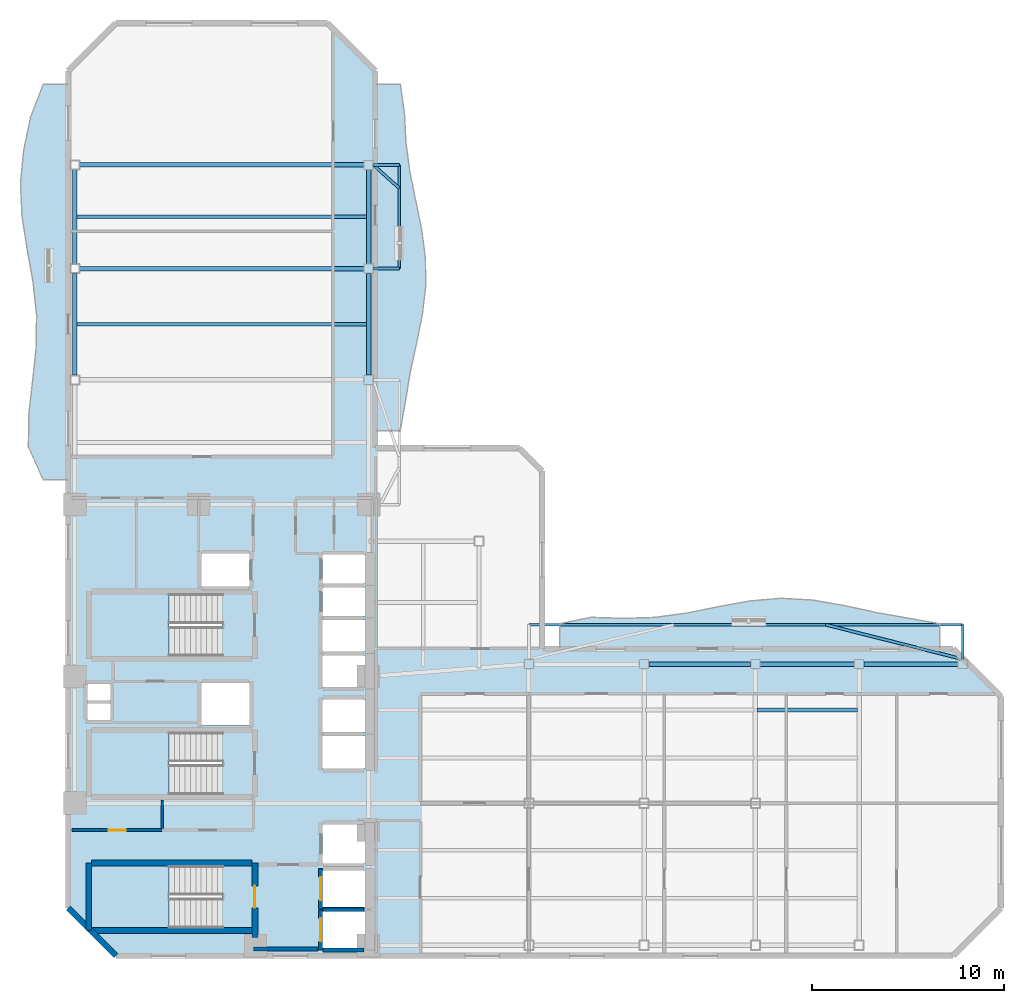
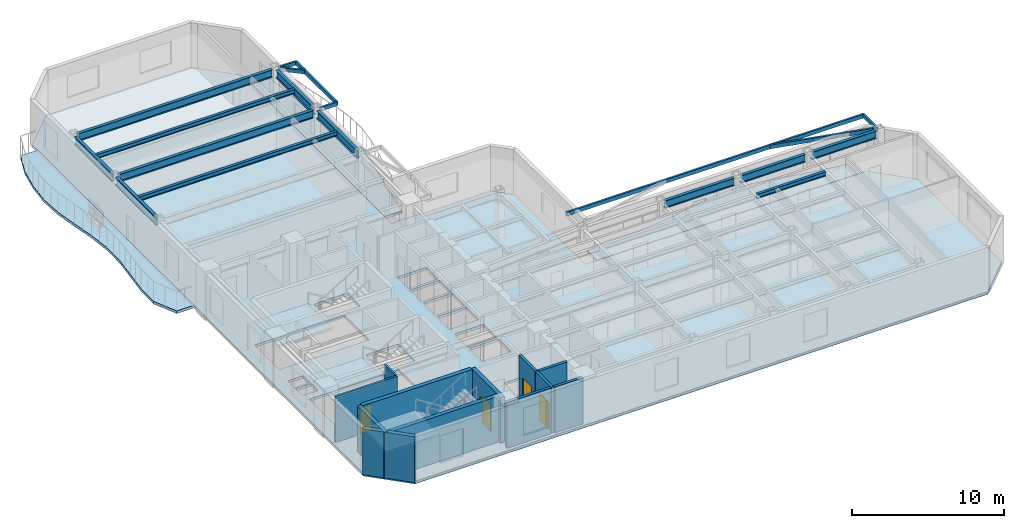
# One storey, part 2 of 9: 19 beams, 12 walls, 7 slabs, 4 doors, 4 openings, 3 elements without a shape of their own.
"""IFC4 building model written with IfcOpenShell, lengths in metres."""

from ifc_helpers import new_model, si_unit, direction, frame, frame_2d, origin, origin_2d, place, context, subcontext, project, spatial, polyline, rectangle, hollow_rectangle, i_section, outline, extrude, material, layer, layer_set, material_profile, profile_set, type_object, element, fill, aggregate, save


model = new_model("IFC4")

# Units and contexts
model_context = context("Model", 3, precision=1e-05, world=origin(), true_north=direction((0.0, 1.0)))
body_context = subcontext(model_context, "Body", "Model", "MODEL_VIEW")
ifc_project = project(units=[si_unit("LENGTHUNIT", "METRE"), si_unit("AREAUNIT", "SQUARE_METRE"), si_unit("VOLUMEUNIT", "CUBIC_METRE"), si_unit("PLANEANGLEUNIT", "RADIAN"), si_unit("MASSUNIT", "GRAM", prefix="KILO")], contexts=[model_context])

# Site, building, storey
site_placement = place(None, origin())
site = spatial("IfcSite", under=ifc_project, at=site_placement, CompositionType="ELEMENT")
building_placement = place(site_placement, origin())
building = spatial("IfcBuilding", under=site, at=building_placement, Name="Mawjaban Terraces University", CompositionType="ELEMENT")
storey_placement = place(building_placement, frame((0.0, 0.0, 138.5)))
storey = spatial("IfcBuildingStorey", under=building, at=storey_placement, Name="L33", CompositionType="ELEMENT", Elevation=138.5)

# Beams
ifc_material_1 = material(Name="Steel EN 10210-1 S355J2H", Category="steel")
ifc_material_profile_1 = material_profile(ifc_material_1, hollow_rectangle(XDim=0.14990234375, YDim=0.300048828125, WallThickness=0.012451171875, at=origin_2d()), Name="RHS300X150X12.5")
ifc_profile_set_1 = profile_set([ifc_material_profile_1], Name="Steel EN 10210-1 S355J2H")
beam_type_1 = type_object("IfcBeamType", Name="BalconyCantileverSpandrel_RHS", PredefinedType="SPANDREL", material=ifc_profile_set_1)
beam_1_placement = place(storey_placement, frame((68.60009765625, 15.449951171875, 3.5400390625), z_axis=(0.0, 1.0, 0.0), x_axis=(-1.0, 0.0, 0.0)))
element("IfcBeam", 1, at=beam_1_placement, inside=storey, type_object=beam_type_1, Name="L33 Exterior Outrigger BAL-L34-N.2", PredefinedType="SPANDREL", context=body_context, shape_type="SweptSolid", body=[
    extrude(hollow_rectangle(XDim=0.14990234375, YDim=0.300048828125, WallThickness=0.012451171875, at=origin_2d()), origin(), (0.0, 0.0, 1.0), 1.800048828125),
])
beam_2_placement = place(storey_placement, frame((46.0, 17.25, 3.5400390625), z_axis=(1.0, 0.0, 0.0), x_axis=(0.0, 1.0, 0.0)))
element("IfcBeam", 2, at=beam_2_placement, inside=storey, type_object=beam_type_1, Name="L33 Exterior Edge Spandrel BAL-L34-N", PredefinedType="SPANDREL", context=body_context, shape_type="SweptSolid", body=[
    extrude(hollow_rectangle(XDim=0.14990234375, YDim=0.300048828125, WallThickness=0.012451171875, at=origin_2d()), origin(), (0.0, 0.0, 1.0), 22.60009765625),
])
beam_3_placement = place(storey_placement, frame((68.60009765625, 15.449951171875, 3.5400390625), z_axis=(-0.96966082483, 0.244454259094, 0.0), x_axis=(-0.244454259094, -0.96966082483, 0.0)))
element("IfcBeam", 3, at=beam_3_placement, inside=storey, type_object=beam_type_1, Name="L33 Exterior Diagonal Strut BAL-L34-N.2", PredefinedType="SPANDREL", context=body_context, shape_type="SweptSolid", body=[
    extrude(hollow_rectangle(XDim=0.14990234375, YDim=0.300048828125, WallThickness=0.012451171875, at=origin_2d()), origin(), (0.0, 0.0, 1.0), 7.363525390625),
])
for number, where, z_axis, x_axis, name in (
    (4, (37.89990234375, 35.800048828125, 3.5400390625), (1.0, 0.0, 0.0), (0.0, 1.0, 0.0), "L33 Exterior Outrigger BAL-L34-E.1"),
    (5, (37.89990234375, 41.199951171875, 3.5400390625), (1.0, 0.0, 0.0), (0.0, 1.0, 0.0), "L33 Exterior Outrigger BAL-L34-E.2"),
):
    element("IfcBeam", number, at=place(storey_placement, frame(where, z_axis=z_axis, x_axis=x_axis)), inside=storey, type_object=beam_type_1, Name=name, PredefinedType="SPANDREL", context=body_context, shape_type="SweptSolid", body=[
        extrude(hollow_rectangle(XDim=0.14990234375, YDim=0.300048828125, WallThickness=0.012451171875, at=origin_2d()), origin(), (0.0, 0.0, 1.0), 1.35009765625),
    ])
beam_4_placement = place(storey_placement, frame((39.25, 35.800048828125, 3.5400390625), z_axis=(0.0, 1.0, 0.0), x_axis=(-1.0, 0.0, 0.0)))
element("IfcBeam", 6, at=beam_4_placement, inside=storey, type_object=beam_type_1, Name="L33 Exterior Edge Spandrel BAL-L34-E", PredefinedType="SPANDREL", context=body_context, shape_type="SweptSolid", body=[
    extrude(hollow_rectangle(XDim=0.14990234375, YDim=0.300048828125, WallThickness=0.012451171875, at=origin_2d()), origin(), (0.0, 0.0, 1.0), 5.39990234375),
])
beam_5_placement = place(storey_placement, frame((37.89990234375, 41.199951171875, 3.5400390625), z_axis=(0.743360982864, -0.668890461253, 0.0), x_axis=(0.668890461253, 0.743360982864, 0.0)))
element("IfcBeam", 7, at=beam_5_placement, inside=storey, type_object=beam_type_1, Name="L33 Exterior Diagonal Strut BAL-L34-E.2", PredefinedType="SPANDREL", context=body_context, shape_type="SweptSolid", body=[
    extrude(hollow_rectangle(XDim=0.14990234375, YDim=0.300048828125, WallThickness=0.012451171875, at=origin_2d()), origin(), (0.0, 0.0, 1.0), 1.816162109375),
])
ifc_material_2 = material(Name="Steel ASTM A572 Grade 50", Category="steel")
ifc_material_profile_2 = material_profile(ifc_material_2, i_section(OverallWidth=0.22998046875, OverallDepth=0.616943359375, WebThickness=0.01318359375, FlangeThickness=0.022216796875, at=origin_2d()), Name="W610X140")
ifc_profile_set_2 = profile_set([ifc_material_profile_2], Name="Steel ASTM A572 Grade 50")
beam_type_2 = type_object("IfcBeamType", Name="Beam_B_W610X140", PredefinedType="BEAM", material=ifc_profile_set_2)
beam_6_placement = place(storey_placement, frame((52.25, 15.199951171875, 3.381103515625), z_axis=(1.0, 0.0, 0.0), x_axis=(0.0, 1.0, 0.0)))
element("IfcBeam", 8, at=beam_6_placement, inside=storey, type_object=beam_type_2, Name="L33 Beam BM-L33-EW-09", PredefinedType="BEAM", context=body_context, shape_type="SweptSolid", body=[
    extrude(i_section(OverallWidth=0.22998046875, OverallDepth=0.616943359375, WebThickness=0.01318359375, FlangeThickness=0.022216796875, at=origin_2d()), origin(), (0.0, 0.0, 1.0), 5.300048828125),
])
beam_7_placement = place(storey_placement, frame((58.050048828125, 15.199951171875, 3.381103515625), z_axis=(1.0, 0.0, 0.0), x_axis=(0.0, 1.0, 0.0)))
element("IfcBeam", 9, at=beam_7_placement, inside=storey, type_object=beam_type_2, Name="L33 Beam BM-L33-EW-10", PredefinedType="BEAM", context=body_context, shape_type="SweptSolid", body=[
    extrude(i_section(OverallWidth=0.22998046875, OverallDepth=0.616943359375, WebThickness=0.01318359375, FlangeThickness=0.022216796875, at=origin_2d()), origin(), (0.0, 0.0, 1.0), 4.89990234375),
])
beam_8_placement = place(storey_placement, frame((63.449951171875, 15.199951171875, 3.381103515625), z_axis=(1.0, 0.0, 0.0), x_axis=(0.0, 1.0, 0.0)))
element("IfcBeam", 10, at=beam_8_placement, inside=storey, type_object=beam_type_2, Name="L33 Beam BM-L33-EW-11", PredefinedType="BEAM", context=body_context, shape_type="SweptSolid", body=[
    extrude(i_section(OverallWidth=0.22998046875, OverallDepth=0.616943359375, WebThickness=0.01318359375, FlangeThickness=0.022216796875, at=origin_2d()), origin(), (0.0, 0.0, 1.0), 4.900146484375),
])
for number, where, z_axis, x_axis, name in (
    (11, (22.60009765625, 35.800048828125, 3.381103515625), (1.0, 0.0, 0.0), (0.0, 1.0, 0.0), "L33 Beam BM-L33-EW-15"),
    (12, (22.60009765625, 41.199951171875, 3.381103515625), (1.0, 0.0, 0.0), (0.0, 1.0, 0.0), "L33 Beam BM-L33-EW-16"),
):
    element("IfcBeam", number, at=place(storey_placement, frame(where, z_axis=z_axis, x_axis=x_axis)), inside=storey, type_object=beam_type_2, Name=name, PredefinedType="BEAM", context=body_context, shape_type="SweptSolid", body=[
        extrude(i_section(OverallWidth=0.22998046875, OverallDepth=0.616943359375, WebThickness=0.01318359375, FlangeThickness=0.022216796875, at=origin_2d()), origin(), (0.0, 0.0, 1.0), 14.7998046875),
    ])
beam_9_placement = place(storey_placement, frame((22.35009765625, 30.25, 3.381103515625), z_axis=(0.0, 1.0, 0.0), x_axis=(-1.0, 0.0, 0.0)))
element("IfcBeam", 13, at=beam_9_placement, inside=storey, type_object=beam_type_2, Name="L33 Beam BM-L33-NS-04", PredefinedType="BEAM", context=body_context, shape_type="SweptSolid", body=[
    extrude(i_section(OverallWidth=0.22998046875, OverallDepth=0.616943359375, WebThickness=0.01318359375, FlangeThickness=0.022216796875, at=origin_2d()), origin(), (0.0, 0.0, 1.0), 5.300048828125),
])
beam_10_placement = place(storey_placement, frame((22.35009765625, 36.050048828125, 3.381103515625), z_axis=(0.0, 1.0, 0.0), x_axis=(-1.0, 0.0, 0.0)))
element("IfcBeam", 14, at=beam_10_placement, inside=storey, type_object=beam_type_2, Name="L33 Beam BM-L33-NS-05", PredefinedType="BEAM", context=body_context, shape_type="SweptSolid", body=[
    extrude(i_section(OverallWidth=0.22998046875, OverallDepth=0.616943359375, WebThickness=0.01318359375, FlangeThickness=0.022216796875, at=origin_2d()), origin(), (0.0, 0.0, 1.0), 4.89990234375),
])
beam_11_placement = place(storey_placement, frame((37.64990234375, 30.25, 3.381103515625), z_axis=(0.0, 1.0, 0.0), x_axis=(-1.0, 0.0, 0.0)))
element("IfcBeam", 15, at=beam_11_placement, inside=storey, type_object=beam_type_2, Name="L33 Beam BM-L33-NS-10", PredefinedType="BEAM", context=body_context, shape_type="SweptSolid", body=[
    extrude(i_section(OverallWidth=0.22998046875, OverallDepth=0.616943359375, WebThickness=0.01318359375, FlangeThickness=0.022216796875, at=origin_2d()), origin(), (0.0, 0.0, 1.0), 5.300048828125),
])
beam_12_placement = place(storey_placement, frame((37.64990234375, 36.050048828125, 3.381103515625), z_axis=(0.0, 1.0, 0.0), x_axis=(-1.0, 0.0, 0.0)))
element("IfcBeam", 16, at=beam_12_placement, inside=storey, type_object=beam_type_2, Name="L33 Beam BM-L33-NS-11", PredefinedType="BEAM", context=body_context, shape_type="SweptSolid", body=[
    extrude(i_section(OverallWidth=0.22998046875, OverallDepth=0.616943359375, WebThickness=0.01318359375, FlangeThickness=0.022216796875, at=origin_2d()), origin(), (0.0, 0.0, 1.0), 4.89990234375),
])
ifc_material_profile_3 = material_profile(ifc_material_2, i_section(OverallWidth=0.202880859375, OverallDepth=0.346923828125, WebThickness=0.0078125, FlangeThickness=0.013427734375, at=origin_2d()), Name="W360X64")
ifc_profile_set_3 = profile_set([ifc_material_profile_3], Name="Steel ASTM A572 Grade 50")
beam_type_3 = type_object("IfcBeamType", Name="Beam_J_W360X64", PredefinedType="JOIST", material=ifc_profile_set_3)
beam_13_placement = place(storey_placement, frame((57.8798828125, 12.800048828125, 3.51708984375), z_axis=(1.0, 0.0, 0.0), x_axis=(0.0, 1.0, 0.0)))
element("IfcBeam", 17, at=beam_13_placement, inside=storey, type_object=beam_type_3, Name="L33 Composite Joist JST-L33-16", PredefinedType="JOIST", context=body_context, shape_type="SweptSolid", body=[
    extrude(i_section(OverallWidth=0.202880859375, OverallDepth=0.346923828125, WebThickness=0.0078125, FlangeThickness=0.013427734375, at=origin_2d()), origin(), (0.0, 0.0, 1.0), 5.240234375),
])
for number, where, z_axis, x_axis, name in (
    (18, (22.429931640625, 32.89990234375, 3.51708984375), (1.0, 0.0, 0.0), (0.0, 1.0, 0.0), "L33 Composite Joist JST-L33-19"),
    (19, (22.429931640625, 38.5, 3.51708984375), (1.0, 0.0, 0.0), (0.0, 1.0, 0.0), "L33 Composite Joist JST-L33-20"),
):
    element("IfcBeam", number, at=place(storey_placement, frame(where, z_axis=z_axis, x_axis=x_axis)), inside=storey, type_object=beam_type_3, Name=name, PredefinedType="JOIST", context=body_context, shape_type="SweptSolid", body=[
        extrude(i_section(OverallWidth=0.202880859375, OverallDepth=0.346923828125, WebThickness=0.0078125, FlangeThickness=0.013427734375, at=origin_2d()), origin(), (0.0, 0.0, 1.0), 15.14013671875),
    ])

# Slabs
ifc_material_3 = material(Name="Concrete C40/50", Category="concrete")
ifc_layer_1 = layer(ifc_material_3, 0.2099609375)
ifc_layer_set_1 = layer_set([ifc_layer_1], Name="Concrete C40/50")
slab_type_1 = type_object("IfcSlabType", Name="BalconySlab_210_Ext", PredefinedType="FLOOR", material=ifc_layer_set_1)
slab_1_placement = place(storey_placement, frame((0.0, 0.0, -0.2099609375)))
element("IfcSlab", 20, at=slab_1_placement, inside=storey, type_object=slab_type_1, Name="L33 Planted Balcony Slab west", PredefinedType="FLOOR", context=body_context, shape_type="SweptSolid", body=[
    extrude(outline(polyline([(22.010009765625, 24.800048828125), (22.010009765625, 45.39990234375), (20.699951171875, 45.39990234375), (20.0400390625, 43.68310546875), (19.681884765625, 41.967041015625), (19.514892578125, 40.25), (19.594970703125, 38.532958984375), (19.863037109375, 36.81689453125), (20.169921875, 35.10009765625), (20.35400390625, 33.383056640625), (20.33203125, 31.6669921875), (20.14794921875, 29.949951171875), (19.949951171875, 28.23291015625), (19.927978515625, 26.51708984375), (20.699951171875, 24.800048828125), (22.010009765625, 24.800048828125)])), origin(), (0.0, 0.0, 1.0), 0.2099609375),
])
slab_2_placement = place(storey_placement, frame((0.0, 0.0, -0.2099609375)))
element("IfcSlab", 21, at=slab_2_placement, inside=storey, type_object=slab_type_1, Name="L33 Planted Balcony Slab inner_north", PredefinedType="FLOOR", context=body_context, shape_type="SweptSolid", body=[
    extrude(outline(polyline([(47.59912109375, 15.989990234375), (67.39990234375, 15.989990234375), (67.39990234375, 17.300048828125), (65.75, 17.590087890625), (64.10009765625, 17.884033203125), (62.449951171875, 18.242919921875), (60.800048828125, 18.531005859375), (59.14990234375, 18.6259765625), (57.4990234375, 18.487060546875), (55.84912109375, 18.18310546875), (54.198974609375, 17.85107421875), (52.549072265625, 17.6298828125), (50.89892578125, 17.580078125), (49.2490234375, 17.635009765625), (47.59912109375, 17.300048828125), (47.59912109375, 15.989990234375)])), origin(), (0.0, 0.0, 1.0), 0.2099609375),
])
slab_3_placement = place(storey_placement, frame((0.0, 0.0, -0.2099609375)))
element("IfcSlab", 22, at=slab_3_placement, inside=storey, type_object=slab_type_1, Name="L33 Planted Balcony Slab inner_east", PredefinedType="FLOOR", context=body_context, shape_type="SweptSolid", body=[
    extrude(outline(polyline([(39.300048828125, 27.35009765625), (39.56396484375, 28.85400390625), (39.81103515625, 30.35791015625), (40.136962890625, 31.863037109375), (40.445068359375, 33.366943359375), (40.625, 34.87109375), (40.610107421875, 36.375), (40.406982421875, 37.87890625), (40.095947265625, 39.383056640625), (39.79296875, 40.887939453125), (39.593017578125, 42.39208984375), (39.51806640625, 43.89599609375), (39.300048828125, 45.39990234375), (37.989990234375, 45.39990234375), (37.989990234375, 27.35009765625), (39.300048828125, 27.35009765625)])), origin(), (0.0, 0.0, 1.0), 0.2099609375),
])
ifc_layer_2 = layer(ifc_material_3, 0.2099609375)
ifc_layer_set_2 = layer_set([ifc_layer_2], Name="Concrete C40/50")
slab_type_2 = type_object("IfcSlabType", Name="CompositeSlab_210", PredefinedType="FLOOR", material=ifc_layer_set_2)
slab_4_placement = place(storey_placement, frame((0.0, 0.0, -0.2099609375)))
element("IfcSlab", 23, at=slab_4_placement, inside=storey, type_object=slab_type_2, Name="L33 Primary Structural Slab", PredefinedType="FLOOR", context=body_context, shape_type="SweptSolid", body=[
    extrude(outline(polyline([(24.5, 0.0), (68.10009765625, 0.0), (70.60009765625, 2.5), (70.60009765625, 13.5), (68.10009765625, 16.0), (46.698974609375, 16.0), (46.698974609375, 25.25), (45.4990234375, 26.449951171875), (38.0, 26.449951171875), (38.0, 46.10009765625), (35.5, 48.60009765625), (24.5, 48.60009765625), (22.0, 46.10009765625), (22.0, 2.5), (24.5, 0.0)]), holes=[polyline([(30.014892578125, 4.699951171875), (23.199951171875, 4.699951171875), (23.199951171875, 1.449951171875), (30.014892578125, 1.449951171875), (30.014892578125, 4.699951171875)]), polyline([(30.014892578125, 18.85009765625), (23.199951171875, 18.85009765625), (23.199951171875, 15.60009765625), (30.014892578125, 15.60009765625), (30.014892578125, 18.85009765625)]), polyline([(30.014892578125, 11.64990234375), (23.199951171875, 11.64990234375), (23.199951171875, 8.39990234375), (30.014892578125, 8.39990234375), (30.014892578125, 11.64990234375)]), polyline([(35.25, 0.39990234375), (37.449951171875, 0.39990234375), (37.449951171875, 2.300048828125), (35.25, 2.300048828125), (35.25, 0.39990234375)]), polyline([(35.25, 2.550048828125), (37.449951171875, 2.550048828125), (37.449951171875, 4.449951171875), (35.25, 4.449951171875), (35.25, 2.550048828125)]), polyline([(35.25, 4.800048828125), (37.449951171875, 4.800048828125), (37.449951171875, 6.85009765625), (35.25, 6.85009765625), (35.25, 4.800048828125)]), polyline([(35.25, 9.75), (37.449951171875, 9.75), (37.449951171875, 11.449951171875), (35.25, 11.449951171875), (35.25, 9.75)]), polyline([(35.25, 11.64990234375), (37.449951171875, 11.64990234375), (37.449951171875, 13.35009765625), (35.25, 13.35009765625), (35.25, 11.64990234375)]), polyline([(28.949951171875, 12.0), (31.449951171875, 12.0), (31.449951171875, 14.199951171875), (28.949951171875, 14.199951171875), (28.949951171875, 12.0)]), polyline([(35.25, 14.0), (37.449951171875, 14.0), (37.449951171875, 15.64990234375), (35.25, 15.64990234375), (35.25, 14.0)]), polyline([(35.25, 15.85009765625), (37.449951171875, 15.85009765625), (37.449951171875, 17.5), (35.25, 17.5), (35.25, 15.85009765625)]), polyline([(35.25, 17.699951171875), (37.449951171875, 17.699951171875), (37.449951171875, 19.199951171875), (35.25, 19.199951171875), (35.25, 17.699951171875)]), polyline([(35.25, 19.39990234375), (37.449951171875, 19.39990234375), (37.449951171875, 20.89990234375), (35.25, 20.89990234375), (35.25, 19.39990234375)]), polyline([(28.949951171875, 19.25), (31.449951171875, 19.25), (31.449951171875, 20.949951171875), (28.949951171875, 20.949951171875), (28.949951171875, 19.25)]), polyline([(23.0, 12.25), (24.199951171875, 12.25), (24.199951171875, 13.14990234375), (23.0, 13.14990234375), (23.0, 12.25)]), polyline([(23.0, 13.300048828125), (24.199951171875, 13.300048828125), (24.199951171875, 14.179931640625), (23.0, 14.179931640625), (23.0, 13.300048828125)])]), origin(), (0.0, 0.0, 1.0), 0.2099609375),
])

# Stair, slab
stair_type = type_object("IfcStairType", Name="Stair_Core1550_H39", PredefinedType="HALF_TURN_STAIR", material=ifc_material_3)
stair_1_placement = place(storey_placement, origin())
stair_1 = element("IfcStair", 24, at=stair_1_placement, inside=storey, type_object=stair_type, Name="L33 Core Exit Stair 1", PredefinedType="HALF_TURN_STAIR")
ifc_layer_3 = layer(ifc_material_3, 0.199951171875)
ifc_layer_set_3 = layer_set([ifc_layer_3], Name="Concrete C40/50")
slab_type_3 = type_object("IfcSlabType", Name="StairLandingSlab_200", PredefinedType="LANDING", material=ifc_layer_set_3)
slab_5_placement = place(storey_placement, frame((0.0, 0.0, 1.75)))
slab_5 = element("IfcSlab", 25, at=slab_5_placement, type_object=slab_type_3, Name="ST-1 landing 1", PredefinedType="LANDING", context=body_context, shape_type="SweptSolid", body=[
    extrude(outline(polyline([(27.25, 4.699951171875), (23.199951171875, 4.699951171875), (23.199951171875, 1.449951171875), (27.25, 1.449951171875), (27.25, 4.699951171875)])), origin(), (0.0, 0.0, 1.0), 0.199951171875),
])
aggregate(stair_1, [slab_5])

stair_2_placement = place(storey_placement, origin())
stair_2 = element("IfcStair", 26, at=stair_2_placement, inside=storey, type_object=stair_type, Name="L33 Core Exit Stair 2", PredefinedType="HALF_TURN_STAIR")
slab_6_placement = place(storey_placement, frame((0.0, 0.0, 1.75)))
slab_6 = element("IfcSlab", 27, at=slab_6_placement, type_object=slab_type_3, Name="ST-2 landing 1", PredefinedType="LANDING", context=body_context, shape_type="SweptSolid", body=[
    extrude(outline(polyline([(27.25, 18.85009765625), (23.199951171875, 18.85009765625), (23.199951171875, 15.60009765625), (27.25, 15.60009765625), (27.25, 18.85009765625)])), origin(), (0.0, 0.0, 1.0), 0.199951171875),
])
aggregate(stair_2, [slab_6])

stair_3_placement = place(storey_placement, origin())
stair_3 = element("IfcStair", 28, at=stair_3_placement, inside=storey, type_object=stair_type, Name="L33 Core Exit Stair 3", PredefinedType="HALF_TURN_STAIR")
slab_7_placement = place(storey_placement, frame((0.0, 0.0, 1.75)))
slab_7 = element("IfcSlab", 29, at=slab_7_placement, type_object=slab_type_3, Name="ST-3 landing 1", PredefinedType="LANDING", context=body_context, shape_type="SweptSolid", body=[
    extrude(outline(polyline([(27.25, 11.64990234375), (23.199951171875, 11.64990234375), (23.199951171875, 8.39990234375), (27.25, 8.39990234375), (27.25, 11.64990234375)])), origin(), (0.0, 0.0, 1.0), 0.199951171875),
])
aggregate(stair_3, [slab_7])

# Wall, opening, door
ifc_material_4 = material(Name="Fire-rated gypsum board on steel stud", Category="steel")
ifc_layer_4 = layer(ifc_material_4, 0.159912109375)
ifc_layer_set_4 = layer_set([ifc_layer_4], Name="Fire-rated gypsum board on steel stud")
wall_type_1 = type_object("IfcWallType", Name="CorridorPartition_160", PredefinedType="PARTITIONING", material=ifc_layer_set_4)
wall_1_placement = place(storey_placement, frame((26.89990234375, 6.550048828125, 0.0), z_axis=(0.0, 0.0, 1.0), x_axis=(-1.0, 0.0, 0.0)))
wall_1 = element("IfcWall", 30, at=wall_1_placement, inside=storey, type_object=wall_type_1, Name="L33 Core Washroom Lobby Partition 4", PredefinedType="PARTITIONING", context=body_context, shape_type="SweptSolid", body=[
    extrude(rectangle(XDim=4.699951171875, YDim=0.159912109375, at=frame_2d((2.35009765625, 0.0))), origin(), (0.0, 0.0, 1.0), 3.68994140625),
])
opening_1_placement = place(wall_1_placement, frame((1.909912109375, 0.0, 0.0)))
opening_1 = element("IfcOpeningElement", 31, at=opening_1_placement, cuts=wall_1, Name="Opening ID-088", PredefinedType="OPENING", context=body_context, shape_type="SweptSolid", body=[
    extrude(rectangle(XDim=0.8798828125, YDim=2.10009765625, at=frame_2d((0.43994140625, 1.050048828125))), frame((0.0, 0.08984375, 0.0), z_axis=(0.0, -1.0, 0.0), x_axis=(1.0, 0.0, 0.0)), (0.0, 0.0, 1.0), 0.179931640625),
])
ifc_material_5 = material(Name="Powder-coated steel frame and solid acoustic timber leaf", Category="steel")
door_type_1 = type_object("IfcDoorType", Name="ToiletDoor_880x2100", OperationType="NOTDEFINED", PredefinedType="DOOR", material=ifc_material_5)
door_1_placement = place(opening_1_placement, origin())
door_1 = element("IfcDoor", 32, at=door_1_placement, inside=storey, type_object=door_type_1, Name="L33 Male Toilet Door", OperationType="SINGLE_SWING_RIGHT", OverallHeight=2.10009765625, OverallWidth=0.8798828125, PredefinedType="DOOR", context=body_context, shape_type="SweptSolid", body=[
    extrude(rectangle(XDim=0.8798828125, YDim=2.10009765625, at=frame_2d((0.43994140625, 1.050048828125))), frame((0.0, 0.02490234375, 0.0), z_axis=(0.0, -1.0, 0.0), x_axis=(1.0, 0.0, 0.0)), (0.0, 0.0, 1.0), 0.050048828125),
])
fill(opening_1, door_1)

# Wall
ifc_material_6 = material(Name="Insulated terracotta rainscreen on concrete backup C40/50", Category="masonry")
ifc_layer_5 = layer(ifc_material_6, 0.300048828125)
ifc_layer_set_5 = layer_set([ifc_layer_5], Name="Insulated terracotta rainscreen on concrete backup C40/50")
wall_type_2 = type_object("IfcWallType", Name="ExtTerracottaWall_300", PredefinedType="SOLIDWALL", material=ifc_layer_set_5)
wall_2_placement = place(storey_placement, frame((22.0, 2.5, 0.0), z_axis=(0.0, 0.0, 1.0), x_axis=(0.707106781187, -0.707106781187, 0.0)))
element("IfcWall", 33, at=wall_2_placement, inside=storey, type_object=wall_type_2, Name="L33 Exterior Terracotta Wall 14", PredefinedType="SOLIDWALL", context=body_context, shape_type="SweptSolid", body=[
    extrude(rectangle(XDim=3.53564453125, YDim=0.300048828125, at=frame_2d((1.767822265625, 0.0))), origin(), (0.0, 0.0, 1.0), 3.68994140625),
])

# Wall, opening, door
ifc_layer_6 = layer(ifc_material_3, 0.199951171875)
ifc_layer_set_6 = layer_set([ifc_layer_6], Name="Concrete C40/50")
wall_type_3 = type_object("IfcWallType", Name="FireLobbyWall_200", PredefinedType="SOLIDWALL", material=ifc_layer_set_6)
wall_3_placement = place(storey_placement, frame((35.14990234375, 2.39990234375, 0.0), z_axis=(0.0, 0.0, 1.0), x_axis=(0.0, -1.0, 0.0)))
wall_3 = element("IfcWall", 34, at=wall_3_placement, inside=storey, type_object=wall_type_3, Name="L33 Lift FL-1 Hoistway Wall West", PredefinedType="SOLIDWALL", context=body_context, shape_type="SweptSolid", body=[
    extrude(rectangle(XDim=2.099853515625, YDim=0.199951171875, at=frame_2d((1.0498046875, 0.0))), origin(), (0.0, 0.0, 1.0), 3.68994140625),
])
opening_2_placement = place(wall_3_placement, frame((0.449951171875, 0.0, 0.0)))
opening_2 = element("IfcOpeningElement", 35, at=opening_2_placement, cuts=wall_3, Name="Opening LD-FL-1", PredefinedType="OPENING", context=body_context, shape_type="SweptSolid", body=[
    extrude(rectangle(XDim=1.199951171875, YDim=2.14990234375, at=frame_2d((0.60009765625, 1.074951171875))), frame((0.0, 0.10986328125, 0.0), z_axis=(0.0, -1.0, 0.0), x_axis=(1.0, 0.0, 0.0)), (0.0, 0.0, 1.0), 0.219970703125),
])
ifc_material_7 = material(Name="Powder-coated steel frame and fire-rated steel-faced leaf", Category="steel")
door_type_2 = type_object("IfcDoorType", Name="LiftLandingFSAE_1200x2150", OperationType="NOTDEFINED", PredefinedType="DOOR", material=ifc_material_7)
door_2_placement = place(opening_2_placement, origin())
door_2 = element("IfcDoor", 36, at=door_2_placement, inside=storey, type_object=door_type_2, Name="L33 Lift FL-1 Sliding Landing Door", OperationType="DOUBLE_DOOR_SLIDING", OverallHeight=2.14990234375, OverallWidth=1.199951171875, PredefinedType="DOOR", context=body_context, shape_type="SweptSolid", body=[
    extrude(rectangle(XDim=1.199951171875, YDim=2.14990234375, at=frame_2d((0.60009765625, 1.074951171875))), frame((0.0, 0.02490234375, 0.0), z_axis=(0.0, -1.0, 0.0), x_axis=(1.0, 0.0, 0.0)), (0.0, 0.0, 1.0), 0.050048828125),
])
fill(opening_2, door_2)

# Walls
for number, where, z_axis, x_axis, name in (
    (37, (35.280029296875, 0.300048828125, 0.0), (0.0, 0.0, 1.0), (1.0, 0.0, 0.0), "L33 Lift FL-1 Hoistway Wall South"),
    (38, (37.419921875, 2.39990234375, 0.0), (0.0, 0.0, 1.0), (-1.0, 0.0, 0.0), "L33 Lift FL-1 Hoistway Wall North"),
):
    element("IfcWall", number, at=place(storey_placement, frame(where, z_axis=z_axis, x_axis=x_axis)), inside=storey, type_object=wall_type_3, Name=name, PredefinedType="SOLIDWALL", context=body_context, shape_type="SweptSolid", body=[
        extrude(rectangle(XDim=2.139892578125, YDim=0.199951171875, at=frame_2d((1.06982421875, 0.0))), origin(), (0.0, 0.0, 1.0), 3.68994140625),
    ])

# Wall, opening, door
wall_4_placement = place(storey_placement, frame((35.14990234375, 4.550048828125, 0.0), z_axis=(0.0, 0.0, 1.0), x_axis=(0.0, -1.0, 0.0)))
wall_4 = element("IfcWall", 39, at=wall_4_placement, inside=storey, type_object=wall_type_3, Name="L33 Lift FL-2 Hoistway Wall West", PredefinedType="SOLIDWALL", context=body_context, shape_type="SweptSolid", body=[
    extrude(rectangle(XDim=2.10009765625, YDim=0.199951171875, at=frame_2d((1.050048828125, 0.0))), origin(), (0.0, 0.0, 1.0), 3.68994140625),
])
opening_3_placement = place(wall_4_placement, frame((0.449951171875, 0.0, 0.0)))
opening_3 = element("IfcOpeningElement", 40, at=opening_3_placement, cuts=wall_4, Name="Opening LD-FL-2", PredefinedType="OPENING", context=body_context, shape_type="SweptSolid", body=[
    extrude(rectangle(XDim=1.199951171875, YDim=2.14990234375, at=frame_2d((0.60009765625, 1.074951171875))), frame((0.0, 0.10986328125, 0.0), z_axis=(0.0, -1.0, 0.0), x_axis=(1.0, 0.0, 0.0)), (0.0, 0.0, 1.0), 0.219970703125),
])
door_3_placement = place(opening_3_placement, origin())
door_3 = element("IfcDoor", 41, at=door_3_placement, inside=storey, type_object=door_type_2, Name="L33 Lift FL-2 Sliding Landing Door", OperationType="DOUBLE_DOOR_SLIDING", OverallHeight=2.14990234375, OverallWidth=1.199951171875, PredefinedType="DOOR", context=body_context, shape_type="SweptSolid", body=[
    extrude(rectangle(XDim=1.199951171875, YDim=2.14990234375, at=frame_2d((0.60009765625, 1.074951171875))), frame((0.0, 0.02490234375, 0.0), z_axis=(0.0, -1.0, 0.0), x_axis=(1.0, 0.0, 0.0)), (0.0, 0.0, 1.0), 0.050048828125),
])
fill(opening_3, door_3)

# Walls
wall_5_placement = place(storey_placement, frame((31.64990234375, 0.35009765625, 0.0), z_axis=(0.0, 0.0, 1.0), x_axis=(1.0, 0.0, 0.0)))
element("IfcWall", 42, at=wall_5_placement, inside=storey, type_object=wall_type_3, Name="L33 Firefighting Lift Lobby Partition 6", PredefinedType="SOLIDWALL", context=body_context, shape_type="SweptSolid", body=[
    extrude(rectangle(XDim=3.3701171875, YDim=0.199951171875, at=frame_2d((1.68505859375, 0.0))), origin(), (0.0, 0.0, 1.0), 3.68994140625),
])
ifc_material_8 = material(Name="Concrete C60/75", Category="concrete")
ifc_layer_7 = layer(ifc_material_8, 0.300048828125)
ifc_layer_set_7 = layer_set([ifc_layer_7], Name="Concrete C60/75")
wall_type_4 = type_object("IfcWallType", Name="StairShaftWall_300", PredefinedType="SHEAR", material=ifc_layer_set_7)
wall_6_placement = place(storey_placement, frame((31.580078125, 4.830078125, 0.0), z_axis=(0.0, 0.0, 1.0), x_axis=(-1.0, 0.0, 0.0)))
element("IfcWall", 43, at=wall_6_placement, inside=storey, type_object=wall_type_4, Name="L33 ST-1 Stair Shaft Wall 1", PredefinedType="SHEAR", context=body_context, shape_type="SweptSolid", body=[
    extrude(rectangle(XDim=8.360107421875, YDim=0.300048828125, at=frame_2d((4.18017578125, 0.0))), origin(), (0.0, 0.0, 1.0), 3.68994140625),
])
wall_7_placement = place(storey_placement, frame((23.070068359375, 4.830078125, 0.0), z_axis=(0.0, 0.0, 1.0), x_axis=(0.0, -1.0, 0.0)))
element("IfcWall", 44, at=wall_7_placement, inside=storey, type_object=wall_type_4, Name="L33 ST-1 Stair Shaft Wall 2", PredefinedType="SHEAR", context=body_context, shape_type="SweptSolid", body=[
    extrude(rectangle(XDim=3.510009765625, YDim=0.300048828125, at=frame_2d((1.7548828125, 0.0))), origin(), (0.0, 0.0, 1.0), 3.68994140625),
])
wall_8_placement = place(storey_placement, frame((23.219970703125, 1.320068359375, 0.0), z_axis=(0.0, 0.0, 1.0), x_axis=(1.0, 0.0, 0.0)))
element("IfcWall", 45, at=wall_8_placement, inside=storey, type_object=wall_type_4, Name="L33 ST-1 Stair Shaft Wall 3", PredefinedType="SHEAR", context=body_context, shape_type="SweptSolid", body=[
    extrude(rectangle(XDim=8.360107421875, YDim=0.300048828125, at=frame_2d((4.18017578125, 0.0))), origin(), (0.0, 0.0, 1.0), 3.68994140625),
])

# Wall, opening, door
wall_9_placement = place(storey_placement, frame((31.72998046875, 0.9599609375, 0.0), z_axis=(0.0, 0.0, 1.0), x_axis=(0.0, 1.0, 0.0)))
wall_9 = element("IfcWall", 46, at=wall_9_placement, inside=storey, type_object=wall_type_4, Name="L33 ST-1 Stair Shaft Wall 4", PredefinedType="SHEAR", context=body_context, shape_type="SweptSolid", body=[
    extrude(rectangle(XDim=3.8701171875, YDim=0.300048828125, at=frame_2d((1.93505859375, 0.0))), origin(), (0.0, 0.0, 1.0), 3.68994140625),
])
opening_4_placement = place(wall_9_placement, frame((1.5400390625, 0.0, 0.0)))
opening_4 = element("IfcOpeningElement", 47, at=opening_4_placement, cuts=wall_9, Name="Opening FD-115", PredefinedType="OPENING", context=body_context, shape_type="SweptSolid", body=[
    extrude(rectangle(XDim=1.14990234375, YDim=2.14990234375, at=frame_2d((0.574951171875, 1.074951171875))), frame((0.0, 0.159912109375, 0.0), z_axis=(0.0, -1.0, 0.0), x_axis=(1.0, 0.0, 0.0)), (0.0, 0.0, 1.0), 0.320068359375),
])
door_type_3 = type_object("IfcDoorType", Name="FireStairDoor_1150x2150", OperationType="NOTDEFINED", PredefinedType="DOOR", material=ifc_material_7)
door_4_placement = place(opening_4_placement, origin())
door_4 = element("IfcDoor", 48, at=door_4_placement, inside=storey, type_object=door_type_3, Name="L33 ST-1 Pressurised Stair Fire Door", OperationType="SINGLE_SWING_LEFT", OverallHeight=2.14990234375, OverallWidth=1.14990234375, PredefinedType="DOOR", context=body_context, shape_type="SweptSolid", body=[
    extrude(rectangle(XDim=1.14990234375, YDim=2.14990234375, at=frame_2d((0.574951171875, 1.074951171875))), frame((0.0, 0.02490234375, 0.0), z_axis=(0.0, -1.0, 0.0), x_axis=(1.0, 0.0, 0.0)), (0.0, 0.0, 1.0), 0.050048828125),
])
fill(opening_4, door_4)

# Wall
ifc_material_9 = material(Name="Cement-board wet-room partition", Category="masonry")
ifc_layer_8 = layer(ifc_material_9, 0.135009765625)
ifc_layer_set_8 = layer_set([ifc_layer_8], Name="Cement-board wet-room partition")
wall_type_5 = type_object("IfcWallType", Name="WetRoomPartition_135", PredefinedType="PARTITIONING", material=ifc_layer_set_8)
wall_10_placement = place(storey_placement, frame((26.89990234375, 6.625, 0.0), z_axis=(0.0, 0.0, 1.0), x_axis=(0.0, 1.0, 0.0)))
element("IfcWall", 49, at=wall_10_placement, inside=storey, type_object=wall_type_5, Name="L33 Male Toilet Partition 30", PredefinedType="PARTITIONING", context=body_context, shape_type="SweptSolid", body=[
    extrude(rectangle(XDim=1.465087890625, YDim=0.135009765625, at=frame_2d((0.732421875, 0.0))), origin(), (0.0, 0.0, 1.0), 3.68994140625),
])

save(model, "model.ifc")
